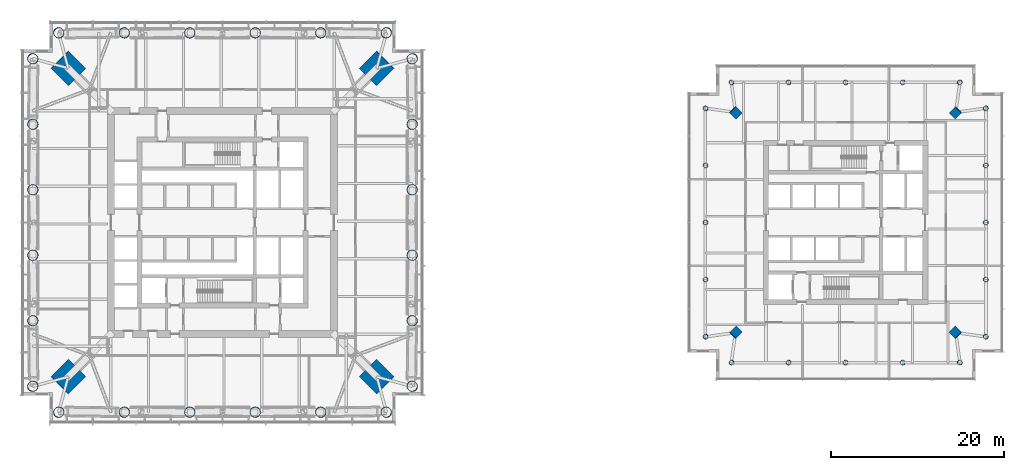
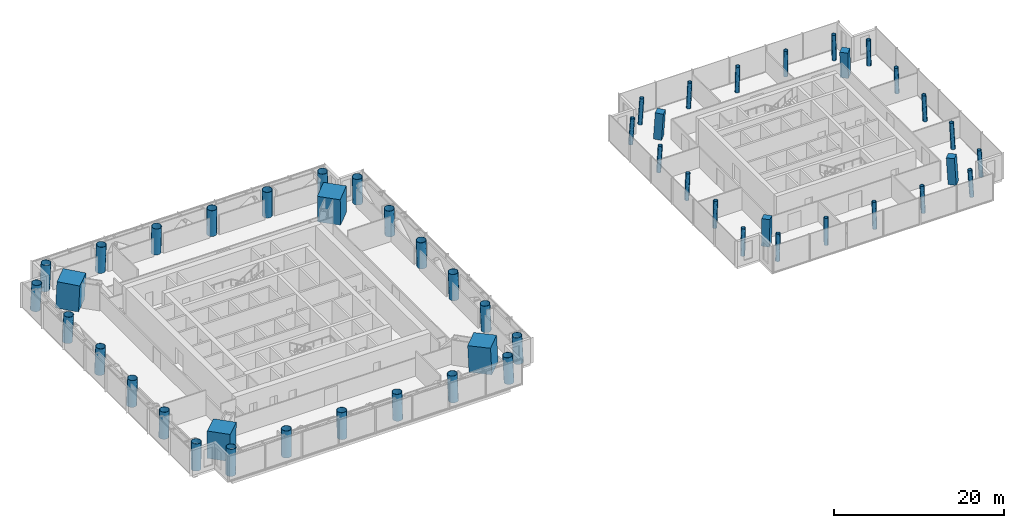
# One storey, part 1 of 18: 52 columns.
"""IFC4 building model written with IfcOpenShell, lengths in metres."""

import ifcopenshell
import ifcopenshell.guid

model = None  # the IFC model being written
_history = None  # IfcOwnerHistory: only IFC2X3 demands one
_inside = {}  # id of a spatial element -> (the spatial element, [elements in it])
_under = {}  # id of a project, library or spatial element -> (it, [spatial elements below it])
_declared = {}  # id of a project -> (the project, [libraries it declares])
_typed = {}  # id of a type object -> (the type object, [elements of that type])
_made_of = {}  # id of a material, layer set ... -> (it, [elements and type objects made of it])


def new_model(schema):
    """Start an empty IFC model of exactly this schema.

    Asked for "IFC4X3", IfcOpenShell would pick the latest addendum, in which some entities
    have other attributes; the version numbers below select the first issue.
    IFC2X3 requires an IfcOwnerHistory on every rooted entity: one is made here for all.
    """
    global model, _history
    if schema == "IFC4X3":
        model = ifcopenshell.file(schema_version=(4, 3, 0, 0))
    else:
        model = ifcopenshell.file(schema=schema)
    _inside.clear()
    _under.clear()
    _declared.clear()
    _typed.clear()
    _made_of.clear()
    _history = None
    if model.schema == "IFC2X3":
        org = make("IfcOrganization", Name="unknown")
        user = make(
            "IfcPersonAndOrganization",
            ThePerson=make("IfcPerson", FamilyName="unknown"),
            TheOrganization=org,
        )
        app = make(
            "IfcApplication",
            ApplicationDeveloper=org,
            Version="unknown",
            ApplicationFullName="unknown",
            ApplicationIdentifier="unknown",
        )
        _history = make(
            "IfcOwnerHistory",
            OwningUser=user,
            OwningApplication=app,
            ChangeAction="ADDED",
            CreationDate=0,
        )
    return model


def make(cls, **values):
    """One entity of the class cls with the attributes given. An attribute that is None is left unset."""
    return model.create_entity(
        cls, **{name: value for name, value in values.items() if value is not None}
    )


def rooted(cls, **values):
    """An entity with a GlobalId (a new one), such as an element, a storey or a relation."""
    return make(cls, GlobalId=ifcopenshell.guid.new(), OwnerHistory=_history, **values)


def si_unit(unit_type, name, prefix=None):
    """IfcSIUnit, for example si_unit("LENGTHUNIT", "METRE", prefix="MILLI")."""
    return make("IfcSIUnit", UnitType=unit_type, Prefix=prefix, Name=name)


def assignment(units):
    """IfcUnitAssignment: the units of a project."""
    return None if units is None else make("IfcUnitAssignment", Units=units)


def point(xyz):
    """IfcCartesianPoint."""
    return None if xyz is None else make("IfcCartesianPoint", Coordinates=xyz)


def direction(xyz):
    """IfcDirection."""
    return None if xyz is None else make("IfcDirection", DirectionRatios=xyz)


def frame(location, z_axis=None, x_axis=None):
    """IfcAxis2Placement3D, a coordinate frame: its origin and axes. An axis left out is left unset."""
    return make(
        "IfcAxis2Placement3D",
        Location=point(location),
        Axis=direction(z_axis),
        RefDirection=direction(x_axis),
    )


def frame_2d(location, x_axis=None):
    """IfcAxis2Placement2D, a coordinate frame in the plane: its origin and x axis."""
    return make(
        "IfcAxis2Placement2D", Location=point(location), RefDirection=direction(x_axis)
    )


def origin():
    """The frame at (0, 0, 0) with its axes left unset."""
    return frame((0.0, 0.0, 0.0))


def origin_2d():
    """The frame at (0, 0) in the plane with its x axis left unset."""
    return frame_2d((0.0, 0.0))


def place(relative_to, where):
    """IfcLocalPlacement: puts the frame where relative to a parent placement (None: the world)."""
    return make(
        "IfcLocalPlacement", PlacementRelTo=relative_to, RelativePlacement=where
    )


def context(
    kind, dimensions, precision=None, world=None, true_north=None, identifier=None
):
    """IfcGeometricRepresentationContext, for example the 3D "Model" context."""
    return make(
        "IfcGeometricRepresentationContext",
        ContextIdentifier=identifier,
        ContextType=kind,
        CoordinateSpaceDimension=dimensions,
        Precision=precision,
        WorldCoordinateSystem=world,
        TrueNorth=true_north,
    )


def subcontext(parent, identifier, kind, view, scale=None):
    """IfcGeometricRepresentationSubContext, for example "Body" below "Model"."""
    return make(
        "IfcGeometricRepresentationSubContext",
        ContextIdentifier=identifier,
        ContextType=kind,
        ParentContext=parent,
        TargetScale=scale,
        TargetView=view,
    )


def project(units=None, contexts=None):
    """IfcProject with its units and contexts."""
    return rooted(
        "IfcProject",
        Name="project",
        RepresentationContexts=contexts,
        UnitsInContext=assignment(units),
    )


def spatial(cls, under=None, at=None, **own):
    """A site, building, storey or space (cls), placed at a placement, below another one or the project."""
    s = rooted(cls, ObjectPlacement=at, **own)
    if under is not None:
        _under.setdefault(under.id(), (under, []))[1].append(s)
    return s


def profile(cls, at=None, kind="AREA", **sizes):
    """A parametric profile (cls). Its sizes go by their IFC names, for example OverallWidth=200.0."""
    return make(cls, ProfileType=kind, Position=at, **sizes)


def rectangle(**sizes):
    """IfcRectangleProfileDef."""
    return profile("IfcRectangleProfileDef", **sizes)


def hollow_circle(**sizes):
    """IfcCircleHollowProfileDef."""
    return profile("IfcCircleHollowProfileDef", **sizes)


def extrude(swept, where, along, depth):
    """IfcExtrudedAreaSolid: the profile swept, set in the frame where, extruded along a direction by depth."""
    return make(
        "IfcExtrudedAreaSolid",
        SweptArea=swept,
        Position=where,
        ExtrudedDirection=direction(along),
        Depth=depth,
    )


def shape(context_of_items, identifier, shape_type, items):
    """IfcShapeRepresentation: the items that make up one representation, for example the "Body"."""
    return make(
        "IfcShapeRepresentation",
        ContextOfItems=context_of_items,
        RepresentationIdentifier=identifier,
        RepresentationType=shape_type,
        Items=items,
    )


def material(Name=None, Category=None):
    """IfcMaterial."""
    return make("IfcMaterial", Name=Name, Category=Category)


def material_profile(
    of_material, cross_section, Name=None, Category=None, Priority=None
):
    """IfcMaterialProfile: a cross section and its material."""
    return make(
        "IfcMaterialProfile",
        Name=Name,
        Material=of_material,
        Profile=cross_section,
        Priority=Priority,
        Category=Category,
    )


def profile_set(profiles, Name=None, composite=None):
    """IfcMaterialProfileSet."""
    return make(
        "IfcMaterialProfileSet",
        Name=Name,
        MaterialProfiles=profiles,
        CompositeProfile=composite,
    )


def made_of(thing, what):
    """Note that an element or type object is made of a material, layer set ...; save() writes the relation."""
    if what is not None:
        _made_of.setdefault(what.id(), (what, []))[1].append(thing)
    return thing


def type_object(cls, material=None, **own):
    """A type object (cls), such as IfcWallType, which elements share."""
    return made_of(rooted(cls, **own), material)


def element(
    cls,
    number,
    at=None,
    inside=None,
    cuts=None,
    type_object=None,
    material=None,
    context=None,
    identifier="Body",
    shape_type=None,
    held_by="IfcProductDefinitionShape",
    body=None,
    shapes=None,
    **own,
):
    """One element of the class cls, such as IfcWall. Its Tag is "e" and its number.

    at: its placement. inside: the storey or other place that contains it. cuts: it is an
    opening in that element (IfcRelVoidsElement). A single representation is given by context,
    identifier, shape_type and body (its items); several are given by shapes. held_by: the class
    of the entity that holds the representations. save() writes the other relations.
    """
    e = rooted(cls, Tag="e%d" % number, ObjectPlacement=at, **own)
    if body is not None:
        shapes = [shape(context, identifier, shape_type, body)]
    if shapes is not None:
        e.Representation = make(held_by, Representations=shapes)
    if inside is not None:
        _inside.setdefault(inside.id(), (inside, []))[1].append(e)
    if cuts is not None:
        rooted(
            "IfcRelVoidsElement", RelatingBuildingElement=cuts, RelatedOpeningElement=e
        )
    if type_object is not None:
        _typed.setdefault(type_object.id(), (type_object, []))[1].append(e)
    return made_of(e, material)


def aggregate(whole, parts):
    """IfcRelAggregates: a whole, such as a stair, and the parts it consists of."""
    return rooted("IfcRelAggregates", RelatingObject=whole, RelatedObjects=parts)


def save(model, path):
    """Write the relations noted so far, then the file.

    IfcRelAggregates (storeys below a building ...), IfcRelContainedInSpatialStructure (elements
    in a storey), IfcRelDefinesByType, IfcRelAssociatesMaterial and IfcRelDeclares: one each for
    every whole, place, type object, material and project.
    """
    for whole, parts in _under.values():
        aggregate(whole, parts)
    for where, things in _inside.values():
        rooted(
            "IfcRelContainedInSpatialStructure",
            RelatedElements=things,
            RelatingStructure=where,
        )
    for kind, things in _typed.values():
        rooted("IfcRelDefinesByType", RelatedObjects=things, RelatingType=kind)
    for what, things in _made_of.values():
        rooted("IfcRelAssociatesMaterial", RelatedObjects=things, RelatingMaterial=what)
    for by, libraries in _declared.values():
        rooted("IfcRelDeclares", RelatingContext=by, RelatedDefinitions=libraries)
    model.write(path)


model = new_model("IFC4")

# Units and contexts
model_context = context("Model", 3, precision=1e-05, world=origin(), true_north=direction((0.0, 1.0)))
body_context = subcontext(model_context, "Body", "Model", "MODEL_VIEW")
ifc_project = project(units=[si_unit("LENGTHUNIT", "METRE"), si_unit("AREAUNIT", "SQUARE_METRE"), si_unit("VOLUMEUNIT", "CUBIC_METRE"), si_unit("PLANEANGLEUNIT", "RADIAN"), si_unit("MASSUNIT", "GRAM", prefix="KILO")], contexts=[model_context])

# Site, building, storey
site_placement = place(None, origin())
site = spatial("IfcSite", under=ifc_project, at=site_placement, CompositionType="ELEMENT")
building_placement = place(site_placement, origin())
building = spatial("IfcBuilding", under=site, at=building_placement, Name="Ostroluk Exchange", CompositionType="ELEMENT")
storey_placement = place(building_placement, frame((0.0, 0.0, 85.60009765625)))
storey = spatial("IfcBuildingStorey", under=building, at=storey_placement, Name="L21", CompositionType="ELEMENT", Elevation=85.60009765625)

# Columns
ifc_material_1 = material(Name="Concrete C50/60", Category="concrete")
ifc_material_profile_1 = material_profile(ifc_material_1, rectangle(XDim=1.0, YDim=1.0, at=origin_2d()), Name="RC 1000x1000")
ifc_profile_set_1 = profile_set([ifc_material_profile_1], Name="Concrete C50/60")
column_type_1 = type_object("IfcColumnType", Name="Mega column RC 1000x1000", PredefinedType="COLUMN", material=ifc_profile_set_1)
for number, where, z_axis, x_axis, name in (
    (1, (129.715576171875, 58.715576171875, 0.0), (-0.043032401563, -0.043032401563, 0.998146494675), (0.707106781187, -0.707106781187, 0.0), "T2 mega column NE"),
    (2, (104.284423828125, 58.715576171875, 0.0), (0.043032401563, -0.043032401563, 0.998146494675), (0.707106781187, 0.707106781187, 0.0), "T2 mega column NW"),
    (3, (104.284423828125, 33.284423828125, 0.0), (0.043032401563, 0.043032401563, 0.998146494675), (-0.707106781187, 0.707106781187, 0.0), "T2 mega column SW"),
    (4, (129.715576171875, 33.284423828125, 0.0), (-0.043032401563, 0.043032401563, 0.998146494675), (-0.707106781187, -0.707106781187, 0.0), "T2 mega column SE"),
):
    element("IfcColumn", number, at=place(storey_placement, frame(where, z_axis=z_axis, x_axis=x_axis)), inside=storey, type_object=column_type_1, Name=name, PredefinedType="COLUMN", context=body_context, shape_type="SweptSolid", body=[
        extrude(rectangle(XDim=1.0, YDim=1.0, at=origin_2d()), origin(), (0.0, 0.0, 1.0), 3.806884765625),
    ])
ifc_material_2 = material(Name="Concrete C50/60", Category="concrete")
ifc_material_profile_2 = material_profile(ifc_material_2, rectangle(XDim=2.800048828125, YDim=2.800048828125, at=origin_2d()), Name="RC 2800x2800")
ifc_profile_set_2 = profile_set([ifc_material_profile_2], Name="Concrete C50/60")
column_type_2 = type_object("IfcColumnType", Name="Mega column RC 2800x2800", PredefinedType="COLUMN", material=ifc_profile_set_2)
for number, where, z_axis, x_axis, name in (
    (5, (62.835693359375, 63.835693359375, 0.0), (-0.031900153262, -0.031900153262, 0.998981861919), (0.707106781187, -0.707106781187, 0.0), "T1 mega column NE"),
    (6, (27.164306640625, 63.835693359375, 0.0), (0.031900153262, -0.031900153262, 0.998981861919), (0.707106781187, 0.707106781187, 0.0), "T1 mega column NW"),
    (7, (27.164306640625, 28.164306640625, 0.0), (0.031900153262, 0.031900153262, 0.998981861919), (-0.707106781187, 0.707106781187, 0.0), "T1 mega column SW"),
    (8, (62.835693359375, 28.164306640625, 0.0), (-0.031900153262, 0.031900153262, 0.998981861919), (-0.707106781187, -0.707106781187, 0.0), "T1 mega column SE"),
):
    element("IfcColumn", number, at=place(storey_placement, frame(where, z_axis=z_axis, x_axis=x_axis)), inside=storey, type_object=column_type_2, Name=name, PredefinedType="COLUMN", context=body_context, shape_type="SweptSolid", body=[
        extrude(rectangle(XDim=2.800048828125, YDim=2.800048828125, at=origin_2d()), origin(), (0.0, 0.0, 1.0), 3.8037109375),
    ])
ifc_material_3 = material(Name="Steel S460", Category="steel")
ifc_material_profile_3 = material_profile(ifc_material_3, hollow_circle(Radius=0.609619140625, WallThickness=0.0400390625, at=origin_2d()), Name="CHS 1219x40")
ifc_profile_set_3 = profile_set([ifc_material_profile_3], Name="Steel S460")
column_type_3 = type_object("IfcColumnType", Name="Perimeter column CHS 1219x40", PredefinedType="COLUMN", material=ifc_profile_set_3)
for number, where, z_axis, x_axis, name in (
    (9, (66.935791015625, 27.064208984375, 0.0), (-0.031964207655, 0.031964207655, 0.998977766949), (-0.707106781187, -0.707106781187, 0.0), "T1 east face column E0"),
    (10, (66.935791015625, 64.935791015625, 0.0), (-0.031964207655, -0.031964207655, 0.998977766949), (0.707106781187, -0.707106781187, 0.0), "T1 east face column E1"),
):
    element("IfcColumn", number, at=place(storey_placement, frame(where, z_axis=z_axis, x_axis=x_axis)), inside=storey, type_object=column_type_3, Name=name, PredefinedType="COLUMN", context=body_context, shape_type="SweptSolid", body=[
        extrude(hollow_circle(Radius=0.609619140625, WallThickness=0.0400390625, at=origin_2d()), origin(), (0.0, 0.0, 1.0), 3.8037109375),
    ])
column_1_placement = place(storey_placement, frame((66.935791015625, 34.638671875, 0.0), z_axis=(-0.031974694863, 0.019133451946, 0.999305523804), x_axis=(-0.51348181169, -0.858100477254, 0.0)))
element("IfcColumn", 11, at=column_1_placement, inside=storey, type_object=column_type_3, Name="T1 east face column I1", PredefinedType="COLUMN", context=body_context, shape_type="SweptSolid", body=[
    extrude(hollow_circle(Radius=0.609619140625, WallThickness=0.0400390625, at=origin_2d()), origin(), (0.0, 0.0, 1.0), 3.802490234375),
])
for number, where, z_axis, x_axis, name in (
    (12, (66.935791015625, 42.212890625, 0.0), (-0.031979902974, 0.006357450591, 0.999468292958), (-0.194979757801, -0.980807266515, 0.0), "T1 east face column I2"),
    (13, (66.935791015625, 49.787109375, 0.0), (-0.031979902974, -0.006357450591, 0.999468292958), (0.194979757801, -0.980807266515, 0.0), "T1 east face column I3"),
):
    element("IfcColumn", number, at=place(storey_placement, frame(where, z_axis=z_axis, x_axis=x_axis)), inside=storey, type_object=column_type_3, Name=name, PredefinedType="COLUMN", context=body_context, shape_type="SweptSolid", body=[
        extrude(hollow_circle(Radius=0.609619140625, WallThickness=0.0400390625, at=origin_2d()), origin(), (0.0, 0.0, 1.0), 3.8017578125),
    ])
column_2_placement = place(storey_placement, frame((66.935791015625, 57.361328125, 0.0), z_axis=(-0.031974694863, -0.019133451946, 0.999305523804), x_axis=(0.51348181169, -0.858100477254, 0.0)))
element("IfcColumn", 14, at=column_2_placement, inside=storey, type_object=column_type_3, Name="T1 east face column I4", PredefinedType="COLUMN", context=body_context, shape_type="SweptSolid", body=[
    extrude(hollow_circle(Radius=0.609619140625, WallThickness=0.0400390625, at=origin_2d()), origin(), (0.0, 0.0, 1.0), 3.802490234375),
])
for number, where, z_axis, x_axis, name in (
    (15, (63.935791015625, 67.935791015625, 0.0), (-0.031964207655, -0.031964207655, 0.998977766949), (0.707106781187, -0.707106781187, 0.0), "T1 north face column E0"),
    (16, (26.064208984375, 67.935791015625, 0.0), (0.031964207655, -0.031964207655, 0.998977766949), (0.707106781187, 0.707106781187, 0.0), "T1 north face column E1"),
):
    element("IfcColumn", number, at=place(storey_placement, frame(where, z_axis=z_axis, x_axis=x_axis)), inside=storey, type_object=column_type_3, Name=name, PredefinedType="COLUMN", context=body_context, shape_type="SweptSolid", body=[
        extrude(hollow_circle(Radius=0.609619140625, WallThickness=0.0400390625, at=origin_2d()), origin(), (0.0, 0.0, 1.0), 3.8037109375),
    ])
column_3_placement = place(storey_placement, frame((56.361328125, 67.935791015625, 0.0), z_axis=(-0.019133451946, -0.031974694863, 0.999305523804), x_axis=(0.858100477254, -0.51348181169, 0.0)))
element("IfcColumn", 17, at=column_3_placement, inside=storey, type_object=column_type_3, Name="T1 north face column I1", PredefinedType="COLUMN", context=body_context, shape_type="SweptSolid", body=[
    extrude(hollow_circle(Radius=0.609619140625, WallThickness=0.0400390625, at=origin_2d()), origin(), (0.0, 0.0, 1.0), 3.802490234375),
])
for number, where, z_axis, x_axis, name in (
    (18, (48.787109375, 67.935791015625, 0.0), (-0.006357450591, -0.031979902974, 0.999468292958), (0.980807266515, -0.194979757801, 0.0), "T1 north face column I2"),
    (19, (41.212890625, 67.935791015625, 0.0), (0.006357450591, -0.031979902974, 0.999468292958), (0.980807266515, 0.194979757801, 0.0), "T1 north face column I3"),
):
    element("IfcColumn", number, at=place(storey_placement, frame(where, z_axis=z_axis, x_axis=x_axis)), inside=storey, type_object=column_type_3, Name=name, PredefinedType="COLUMN", context=body_context, shape_type="SweptSolid", body=[
        extrude(hollow_circle(Radius=0.609619140625, WallThickness=0.0400390625, at=origin_2d()), origin(), (0.0, 0.0, 1.0), 3.8017578125),
    ])
column_4_placement = place(storey_placement, frame((33.638671875, 67.935791015625, 0.0), z_axis=(0.019133451946, -0.031974694863, 0.999305523804), x_axis=(0.858100477254, 0.51348181169, 0.0)))
element("IfcColumn", 20, at=column_4_placement, inside=storey, type_object=column_type_3, Name="T1 north face column I4", PredefinedType="COLUMN", context=body_context, shape_type="SweptSolid", body=[
    extrude(hollow_circle(Radius=0.609619140625, WallThickness=0.0400390625, at=origin_2d()), origin(), (0.0, 0.0, 1.0), 3.802490234375),
])
for number, where, z_axis, x_axis, name in (
    (21, (23.064208984375, 64.935791015625, 0.0), (0.031964207655, -0.031964207655, 0.998977766949), (0.707106781187, 0.707106781187, 0.0), "T1 west face column E0"),
    (22, (23.064208984375, 27.064208984375, 0.0), (0.031964207655, 0.031964207655, 0.998977766949), (-0.707106781187, 0.707106781187, 0.0), "T1 west face column E1"),
):
    element("IfcColumn", number, at=place(storey_placement, frame(where, z_axis=z_axis, x_axis=x_axis)), inside=storey, type_object=column_type_3, Name=name, PredefinedType="COLUMN", context=body_context, shape_type="SweptSolid", body=[
        extrude(hollow_circle(Radius=0.609619140625, WallThickness=0.0400390625, at=origin_2d()), origin(), (0.0, 0.0, 1.0), 3.8037109375),
    ])
column_5_placement = place(storey_placement, frame((23.064208984375, 57.361328125, 0.0), z_axis=(0.031974694863, -0.019133451946, 0.999305523804), x_axis=(0.51348181169, 0.858100477254, 0.0)))
element("IfcColumn", 23, at=column_5_placement, inside=storey, type_object=column_type_3, Name="T1 west face column I1", PredefinedType="COLUMN", context=body_context, shape_type="SweptSolid", body=[
    extrude(hollow_circle(Radius=0.609619140625, WallThickness=0.0400390625, at=origin_2d()), origin(), (0.0, 0.0, 1.0), 3.802490234375),
])
for number, where, z_axis, x_axis, name in (
    (24, (23.064208984375, 49.787109375, 0.0), (0.031979902974, -0.006357450591, 0.999468292958), (0.194979757801, 0.980807266515, 0.0), "T1 west face column I2"),
    (25, (23.064208984375, 42.212890625, 0.0), (0.031979902974, 0.006357450591, 0.999468292958), (-0.194979757801, 0.980807266515, 0.0), "T1 west face column I3"),
):
    element("IfcColumn", number, at=place(storey_placement, frame(where, z_axis=z_axis, x_axis=x_axis)), inside=storey, type_object=column_type_3, Name=name, PredefinedType="COLUMN", context=body_context, shape_type="SweptSolid", body=[
        extrude(hollow_circle(Radius=0.609619140625, WallThickness=0.0400390625, at=origin_2d()), origin(), (0.0, 0.0, 1.0), 3.8017578125),
    ])
column_6_placement = place(storey_placement, frame((23.064208984375, 34.638671875, 0.0), z_axis=(0.031974694863, 0.019133451946, 0.999305523804), x_axis=(-0.51348181169, 0.858100477254, 0.0)))
element("IfcColumn", 26, at=column_6_placement, inside=storey, type_object=column_type_3, Name="T1 west face column I4", PredefinedType="COLUMN", context=body_context, shape_type="SweptSolid", body=[
    extrude(hollow_circle(Radius=0.609619140625, WallThickness=0.0400390625, at=origin_2d()), origin(), (0.0, 0.0, 1.0), 3.802490234375),
])
for number, where, z_axis, x_axis, name in (
    (27, (26.064208984375, 24.064208984375, 0.0), (0.031964207655, 0.031964207655, 0.998977766949), (-0.707106781187, 0.707106781187, 0.0), "T1 south face column E0"),
    (28, (63.935791015625, 24.064208984375, 0.0), (-0.031964207655, 0.031964207655, 0.998977766949), (-0.707106781187, -0.707106781187, 0.0), "T1 south face column E1"),
):
    element("IfcColumn", number, at=place(storey_placement, frame(where, z_axis=z_axis, x_axis=x_axis)), inside=storey, type_object=column_type_3, Name=name, PredefinedType="COLUMN", context=body_context, shape_type="SweptSolid", body=[
        extrude(hollow_circle(Radius=0.609619140625, WallThickness=0.0400390625, at=origin_2d()), origin(), (0.0, 0.0, 1.0), 3.8037109375),
    ])
column_7_placement = place(storey_placement, frame((33.638671875, 24.064208984375, 0.0), z_axis=(0.019133451946, 0.031974694863, 0.999305523804), x_axis=(-0.858100477254, 0.51348181169, 0.0)))
element("IfcColumn", 29, at=column_7_placement, inside=storey, type_object=column_type_3, Name="T1 south face column I1", PredefinedType="COLUMN", context=body_context, shape_type="SweptSolid", body=[
    extrude(hollow_circle(Radius=0.609619140625, WallThickness=0.0400390625, at=origin_2d()), origin(), (0.0, 0.0, 1.0), 3.802490234375),
])
for number, where, z_axis, x_axis, name in (
    (30, (41.212890625, 24.064208984375, 0.0), (0.006357450591, 0.031979902974, 0.999468292958), (-0.980807266515, 0.194979757801, 0.0), "T1 south face column I2"),
    (31, (48.787109375, 24.064208984375, 0.0), (-0.006357450591, 0.031979902974, 0.999468292958), (-0.980807266515, -0.194979757801, 0.0), "T1 south face column I3"),
):
    element("IfcColumn", number, at=place(storey_placement, frame(where, z_axis=z_axis, x_axis=x_axis)), inside=storey, type_object=column_type_3, Name=name, PredefinedType="COLUMN", context=body_context, shape_type="SweptSolid", body=[
        extrude(hollow_circle(Radius=0.609619140625, WallThickness=0.0400390625, at=origin_2d()), origin(), (0.0, 0.0, 1.0), 3.8017578125),
    ])
column_8_placement = place(storey_placement, frame((56.361328125, 24.064208984375, 0.0), z_axis=(-0.019133451946, 0.031974694863, 0.999305523804), x_axis=(-0.858100477254, -0.51348181169, 0.0)))
element("IfcColumn", 32, at=column_8_placement, inside=storey, type_object=column_type_3, Name="T1 south face column I4", PredefinedType="COLUMN", context=body_context, shape_type="SweptSolid", body=[
    extrude(hollow_circle(Radius=0.609619140625, WallThickness=0.0400390625, at=origin_2d()), origin(), (0.0, 0.0, 1.0), 3.802490234375),
])
ifc_material_4 = material(Name="Steel S460", Category="steel")
ifc_material_profile_4 = material_profile(ifc_material_4, hollow_circle(Radius=0.279541015625, WallThickness=0.02001953125, at=origin_2d()), Name="CHS 559x20")
ifc_profile_set_4 = profile_set([ifc_material_profile_4], Name="Steel S460")
column_type_4 = type_object("IfcColumnType", Name="Perimeter column CHS 559x20", PredefinedType="COLUMN", material=ifc_profile_set_4)
for number, where, z_axis, x_axis, name in (
    (33, (133.215576171875, 32.784423828125, 0.0), (-0.043032401563, 0.043032401563, 0.998146494675), (-0.707106781187, -0.707106781187, 0.0), "T2 east face column E0"),
    (34, (133.215576171875, 59.215576171875, 0.0), (-0.043032401563, -0.043032401563, 0.998146494675), (0.707106781187, -0.707106781187, 0.0), "T2 east face column E1"),
):
    element("IfcColumn", number, at=place(storey_placement, frame(where, z_axis=z_axis, x_axis=x_axis)), inside=storey, type_object=column_type_4, Name=name, PredefinedType="COLUMN", context=body_context, shape_type="SweptSolid", body=[
        extrude(hollow_circle(Radius=0.279541015625, WallThickness=0.02001953125, at=origin_2d()), origin(), (0.0, 0.0, 1.0), 3.806884765625),
    ])
column_9_placement = place(storey_placement, frame((133.215576171875, 39.392333984375, 0.0), z_axis=(-0.04306234503, 0.02149908433, 0.998841040313), x_axis=(-0.446680166538, -0.894693706707, 0.0)))
element("IfcColumn", 35, at=column_9_placement, inside=storey, type_object=column_type_4, Name="T2 east face column I1", PredefinedType="COLUMN", context=body_context, shape_type="SweptSolid", body=[
    extrude(hollow_circle(Radius=0.279541015625, WallThickness=0.02001953125, at=origin_2d()), origin(), (0.0, 0.0, 1.0), 3.80419921875),
])
column_10_placement = place(storey_placement, frame((133.215576171875, 46.0, 0.0), z_axis=(-0.043072300418, 0.0, 0.999071957837), x_axis=(0.0, -1.0, 0.0)))
element("IfcColumn", 36, at=column_10_placement, inside=storey, type_object=column_type_4, Name="T2 east face column I2", PredefinedType="COLUMN", context=body_context, shape_type="SweptSolid", body=[
    extrude(hollow_circle(Radius=0.279541015625, WallThickness=0.02001953125, at=origin_2d()), origin(), (0.0, 0.0, 1.0), 3.80322265625),
])
column_11_placement = place(storey_placement, frame((133.215576171875, 52.607666015625, 0.0), z_axis=(-0.04306234503, -0.02149908433, 0.998841040313), x_axis=(0.446680166538, -0.894693706707, 0.0)))
element("IfcColumn", 37, at=column_11_placement, inside=storey, type_object=column_type_4, Name="T2 east face column I3", PredefinedType="COLUMN", context=body_context, shape_type="SweptSolid", body=[
    extrude(hollow_circle(Radius=0.279541015625, WallThickness=0.02001953125, at=origin_2d()), origin(), (0.0, 0.0, 1.0), 3.80419921875),
])
for number, where, z_axis, x_axis, name in (
    (38, (130.215576171875, 62.215576171875, 0.0), (-0.043032401563, -0.043032401563, 0.998146494675), (0.707106781187, -0.707106781187, 0.0), "T2 north face column E0"),
    (39, (103.784423828125, 62.215576171875, 0.0), (0.043032401563, -0.043032401563, 0.998146494675), (0.707106781187, 0.707106781187, 0.0), "T2 north face column E1"),
):
    element("IfcColumn", number, at=place(storey_placement, frame(where, z_axis=z_axis, x_axis=x_axis)), inside=storey, type_object=column_type_4, Name=name, PredefinedType="COLUMN", context=body_context, shape_type="SweptSolid", body=[
        extrude(hollow_circle(Radius=0.279541015625, WallThickness=0.02001953125, at=origin_2d()), origin(), (0.0, 0.0, 1.0), 3.806884765625),
    ])
column_12_placement = place(storey_placement, frame((123.607666015625, 62.215576171875, 0.0), z_axis=(-0.02149908433, -0.04306234503, 0.998841040313), x_axis=(0.894693706707, -0.446680166538, 0.0)))
element("IfcColumn", 40, at=column_12_placement, inside=storey, type_object=column_type_4, Name="T2 north face column I1", PredefinedType="COLUMN", context=body_context, shape_type="SweptSolid", body=[
    extrude(hollow_circle(Radius=0.279541015625, WallThickness=0.02001953125, at=origin_2d()), origin(), (0.0, 0.0, 1.0), 3.80419921875),
])
column_13_placement = place(storey_placement, frame((117.0, 62.215576171875, 0.0), z_axis=(0.0, -0.043072300418, 0.999071957837), x_axis=(1.0, 0.0, 0.0)))
element("IfcColumn", 41, at=column_13_placement, inside=storey, type_object=column_type_4, Name="T2 north face column I2", PredefinedType="COLUMN", context=body_context, shape_type="SweptSolid", body=[
    extrude(hollow_circle(Radius=0.279541015625, WallThickness=0.02001953125, at=origin_2d()), origin(), (0.0, 0.0, 1.0), 3.80322265625),
])
column_14_placement = place(storey_placement, frame((110.392333984375, 62.215576171875, 0.0), z_axis=(0.02149908433, -0.04306234503, 0.998841040313), x_axis=(0.894693706707, 0.446680166538, 0.0)))
element("IfcColumn", 42, at=column_14_placement, inside=storey, type_object=column_type_4, Name="T2 north face column I3", PredefinedType="COLUMN", context=body_context, shape_type="SweptSolid", body=[
    extrude(hollow_circle(Radius=0.279541015625, WallThickness=0.02001953125, at=origin_2d()), origin(), (0.0, 0.0, 1.0), 3.80419921875),
])
for number, where, z_axis, x_axis, name in (
    (43, (100.784423828125, 59.215576171875, 0.0), (0.043032401563, -0.043032401563, 0.998146494675), (0.707106781187, 0.707106781187, 0.0), "T2 west face column E0"),
    (44, (100.784423828125, 32.784423828125, 0.0), (0.043032401563, 0.043032401563, 0.998146494675), (-0.707106781187, 0.707106781187, 0.0), "T2 west face column E1"),
):
    element("IfcColumn", number, at=place(storey_placement, frame(where, z_axis=z_axis, x_axis=x_axis)), inside=storey, type_object=column_type_4, Name=name, PredefinedType="COLUMN", context=body_context, shape_type="SweptSolid", body=[
        extrude(hollow_circle(Radius=0.279541015625, WallThickness=0.02001953125, at=origin_2d()), origin(), (0.0, 0.0, 1.0), 3.806884765625),
    ])
column_15_placement = place(storey_placement, frame((100.784423828125, 52.607666015625, 0.0), z_axis=(0.04306234503, -0.02149908433, 0.998841040313), x_axis=(0.446680166538, 0.894693706707, 0.0)))
element("IfcColumn", 45, at=column_15_placement, inside=storey, type_object=column_type_4, Name="T2 west face column I1", PredefinedType="COLUMN", context=body_context, shape_type="SweptSolid", body=[
    extrude(hollow_circle(Radius=0.279541015625, WallThickness=0.02001953125, at=origin_2d()), origin(), (0.0, 0.0, 1.0), 3.80419921875),
])
column_16_placement = place(storey_placement, frame((100.784423828125, 46.0, 0.0), z_axis=(0.043072300418, 0.0, 0.999071957837), x_axis=(0.0, 1.0, 0.0)))
element("IfcColumn", 46, at=column_16_placement, inside=storey, type_object=column_type_4, Name="T2 west face column I2", PredefinedType="COLUMN", context=body_context, shape_type="SweptSolid", body=[
    extrude(hollow_circle(Radius=0.279541015625, WallThickness=0.02001953125, at=origin_2d()), origin(), (0.0, 0.0, 1.0), 3.80322265625),
])
column_17_placement = place(storey_placement, frame((100.784423828125, 39.392333984375, 0.0), z_axis=(0.04306234503, 0.02149908433, 0.998841040313), x_axis=(-0.446680166538, 0.894693706707, 0.0)))
element("IfcColumn", 47, at=column_17_placement, inside=storey, type_object=column_type_4, Name="T2 west face column I3", PredefinedType="COLUMN", context=body_context, shape_type="SweptSolid", body=[
    extrude(hollow_circle(Radius=0.279541015625, WallThickness=0.02001953125, at=origin_2d()), origin(), (0.0, 0.0, 1.0), 3.80419921875),
])
for number, where, z_axis, x_axis, name in (
    (48, (103.784423828125, 29.784423828125, 0.0), (0.043032401563, 0.043032401563, 0.998146494675), (-0.707106781187, 0.707106781187, 0.0), "T2 south face column E0"),
    (49, (130.215576171875, 29.784423828125, 0.0), (-0.043032401563, 0.043032401563, 0.998146494675), (-0.707106781187, -0.707106781187, 0.0), "T2 south face column E1"),
):
    element("IfcColumn", number, at=place(storey_placement, frame(where, z_axis=z_axis, x_axis=x_axis)), inside=storey, type_object=column_type_4, Name=name, PredefinedType="COLUMN", context=body_context, shape_type="SweptSolid", body=[
        extrude(hollow_circle(Radius=0.279541015625, WallThickness=0.02001953125, at=origin_2d()), origin(), (0.0, 0.0, 1.0), 3.806884765625),
    ])
column_18_placement = place(storey_placement, frame((110.392333984375, 29.784423828125, 0.0), z_axis=(0.02149908433, 0.04306234503, 0.998841040313), x_axis=(-0.894693706707, 0.446680166538, 0.0)))
element("IfcColumn", 50, at=column_18_placement, inside=storey, type_object=column_type_4, Name="T2 south face column I1", PredefinedType="COLUMN", context=body_context, shape_type="SweptSolid", body=[
    extrude(hollow_circle(Radius=0.279541015625, WallThickness=0.02001953125, at=origin_2d()), origin(), (0.0, 0.0, 1.0), 3.80419921875),
])
column_19_placement = place(storey_placement, frame((117.0, 29.784423828125, 0.0), z_axis=(0.0, 0.043072300418, 0.999071957837), x_axis=(-1.0, 0.0, 0.0)))
element("IfcColumn", 51, at=column_19_placement, inside=storey, type_object=column_type_4, Name="T2 south face column I2", PredefinedType="COLUMN", context=body_context, shape_type="SweptSolid", body=[
    extrude(hollow_circle(Radius=0.279541015625, WallThickness=0.02001953125, at=origin_2d()), origin(), (0.0, 0.0, 1.0), 3.80322265625),
])
column_20_placement = place(storey_placement, frame((123.607666015625, 29.784423828125, 0.0), z_axis=(-0.02149908433, 0.04306234503, 0.998841040313), x_axis=(-0.894693706707, -0.446680166538, 0.0)))
element("IfcColumn", 52, at=column_20_placement, inside=storey, type_object=column_type_4, Name="T2 south face column I3", PredefinedType="COLUMN", context=body_context, shape_type="SweptSolid", body=[
    extrude(hollow_circle(Radius=0.279541015625, WallThickness=0.02001953125, at=origin_2d()), origin(), (0.0, 0.0, 1.0), 3.80419921875),
])

save(model, "model.ifc")
